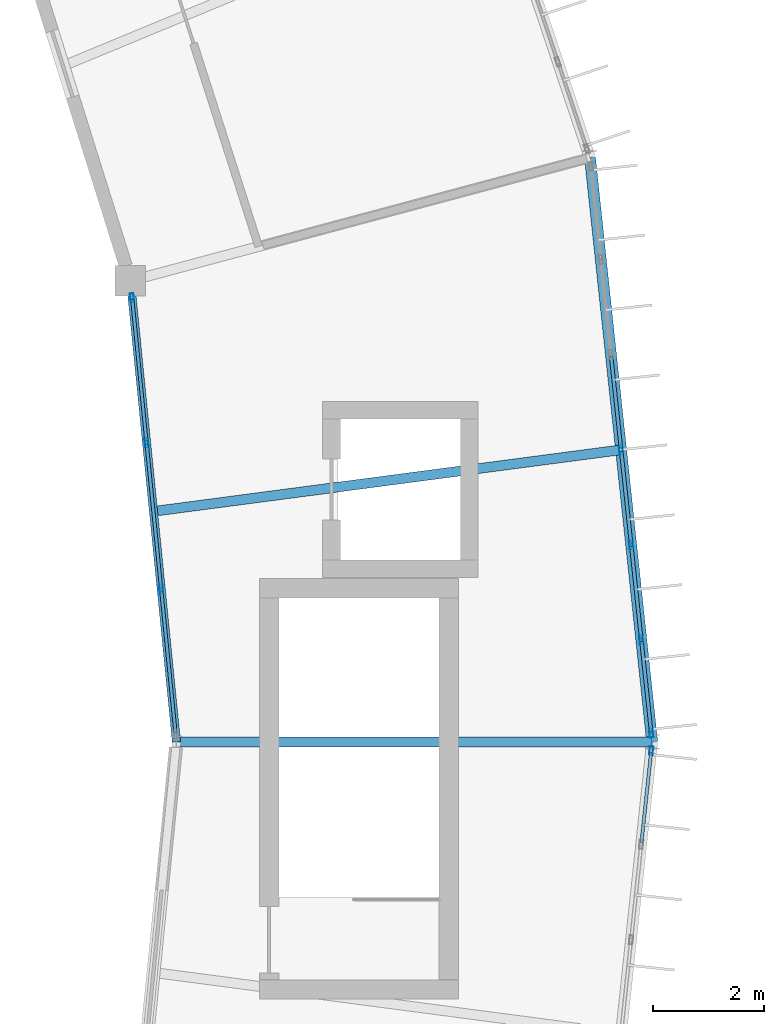
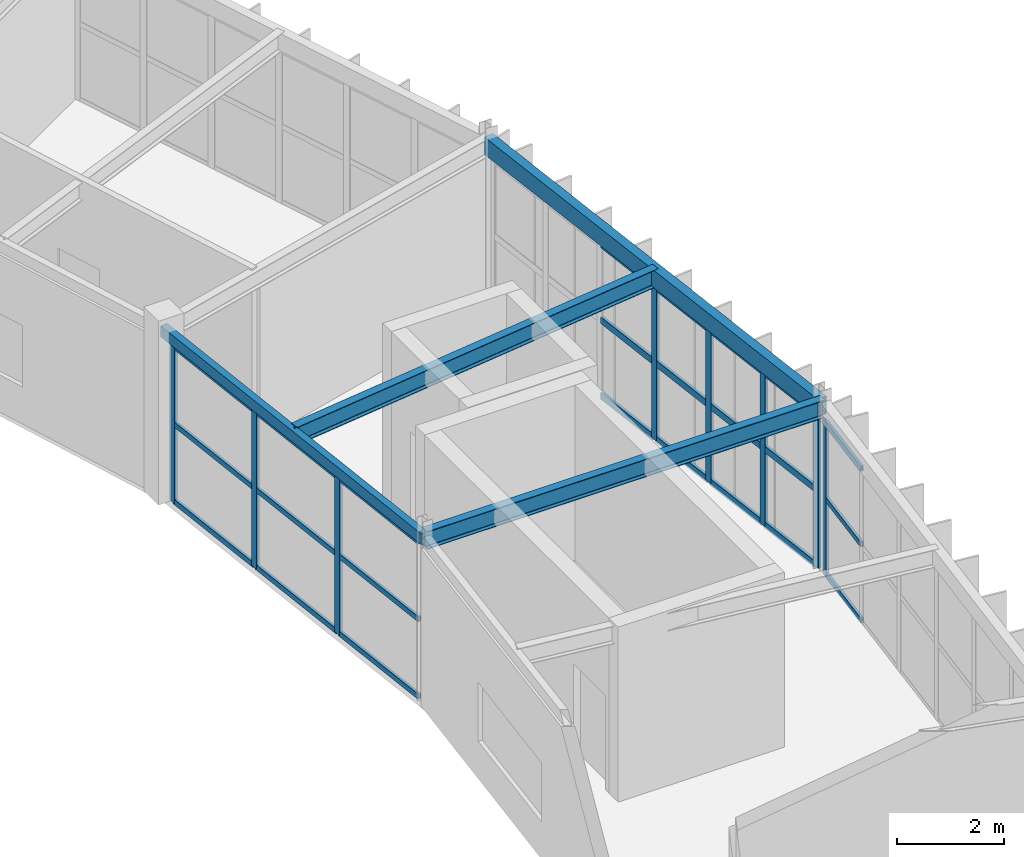
# One storey, part 27 of 66: 32 members, 4 beams, 3 elements without a shape of their own.
"""IFC4 building model written with IfcOpenShell, lengths in metres."""

from ifc_helpers import new_model, si_unit, direction, frame, origin, origin_2d, place, context, subcontext, project, spatial, hollow_rectangle, i_section, extrude, material, material_profile, profile_set, type_object, element, aggregate, save


model = new_model("IFC4")

# Units and contexts
model_context = context("Model", 3, precision=1e-05, world=origin(), true_north=direction((0.0, 1.0)))
body_context = subcontext(model_context, "Body", "Model", "MODEL_VIEW")
ifc_project = project(units=[si_unit("LENGTHUNIT", "METRE"), si_unit("AREAUNIT", "SQUARE_METRE"), si_unit("VOLUMEUNIT", "CUBIC_METRE"), si_unit("PLANEANGLEUNIT", "RADIAN"), si_unit("MASSUNIT", "GRAM", prefix="KILO")], contexts=[model_context])

# Site, building, storey
site_placement = place(None, origin())
site = spatial("IfcSite", under=ifc_project, at=site_placement, CompositionType="ELEMENT")
building_placement = place(site_placement, origin())
building = spatial("IfcBuilding", under=site, at=building_placement, Name="Karori Crest Natural Sciences Institute", CompositionType="ELEMENT")
storey_placement = place(building_placement, frame((0.0, 0.0, 30.10009765625)))
storey = spatial("IfcBuildingStorey", under=building, at=storey_placement, Name="L07", CompositionType="ELEMENT", Elevation=30.10009765625)

# Beams
ifc_material_1 = material(Name="Structural steel AS/NZS 3679.1 Grade 350", Category="steel")
ifc_material_profile_1 = material_profile(ifc_material_1, i_section(OverallWidth=0.177978515625, OverallDepth=0.406005859375, WebThickness=0.0078125, FlangeThickness=0.0126953125, FilletRadius=0.010986328125, at=origin_2d()), Name="410UB59.7")
ifc_profile_set_1 = profile_set([ifc_material_profile_1], Name="Structural steel AS/NZS 3679.1 Grade 350")
beam_type_1 = type_object("IfcBeamType", Name="BT-07", PredefinedType="BEAM", material=ifc_profile_set_1)
beam_1_placement = place(storey_placement, frame((90.800048828125, 49.89990234375, 3.739990234375), z_axis=(1.0, 0.0, 0.0), x_axis=(0.0, 1.0, 0.0)))
element("IfcBeam", 1, at=beam_1_placement, inside=storey, type_object=beam_type_1, Name="Beam B-0646", PredefinedType="BEAM", context=body_context, shape_type="SweptSolid", body=[
    extrude(i_section(OverallWidth=0.177978515625, OverallDepth=0.406005859375, WebThickness=0.0078125, FlangeThickness=0.0126953125, FilletRadius=0.010986328125, at=origin_2d()), origin(), (0.0, 0.0, 1.0), 8.599853515625),
])
beam_2_placement = place(storey_placement, frame((90.38427734375, 54.06689453125, 3.739990234375), z_axis=(0.991443376869, 0.130537467659, 0.0), x_axis=(-0.130537467659, 0.991443376869, 0.0)))
element("IfcBeam", 2, at=beam_2_placement, inside=storey, type_object=beam_type_1, Name="Beam B-2881", PredefinedType="BEAM", context=body_context, shape_type="SweptSolid", body=[
    extrude(i_section(OverallWidth=0.177978515625, OverallDepth=0.406005859375, WebThickness=0.0078125, FlangeThickness=0.0126953125, FilletRadius=0.010986328125, at=origin_2d()), origin(), (0.0, 0.0, 1.0), 8.526611328125),
])
ifc_material_2 = material(Name="Hollow structural steel AS/NZS 1163 Grade C350", Category="steel")
ifc_material_profile_2 = material_profile(ifc_material_2, hollow_rectangle(XDim=0.199951171875, YDim=0.39990234375, WallThickness=0.012451171875, at=origin_2d()), Name="RHS400x200x12.5")
ifc_profile_set_2 = profile_set([ifc_material_profile_2], Name="Hollow structural steel AS/NZS 1163 Grade C350")
beam_type_2 = type_object("IfcBeamType", Name="BT-14", PredefinedType="SPANDREL", material=ifc_profile_set_2)
beam_3_placement = place(storey_placement, frame((99.39990234375, 49.89990234375, 3.739990234375), z_axis=(-0.105868278464, 0.994380162521, 0.0), x_axis=(-0.994380162521, -0.105868278464, 0.0)))
element("IfcBeam", 3, at=beam_3_placement, inside=storey, type_object=beam_type_2, Name="Beam B-0644", PredefinedType="SPANDREL", context=body_context, shape_type="SweptSolid", body=[
    extrude(hollow_rectangle(XDim=0.199951171875, YDim=0.39990234375, WallThickness=0.012451171875, at=origin_2d()), origin(), (0.0, 0.0, 1.0), 10.619384765625),
])
ifc_material_profile_3 = material_profile(ifc_material_2, hollow_rectangle(XDim=0.14990234375, YDim=0.25, WallThickness=0.009033203125, at=origin_2d()), Name="RHS250x150x9")
ifc_profile_set_3 = profile_set([ifc_material_profile_3], Name="Hollow structural steel AS/NZS 1163 Grade C350")
beam_type_3 = type_object("IfcBeamType", Name="BT-16", PredefinedType="SPANDREL", material=ifc_profile_set_3)
beam_4_placement = place(storey_placement, frame((90.800048828125, 49.89990234375, 3.739990234375), z_axis=(-0.099284371237, 0.99505910057, 0.0), x_axis=(-0.99505910057, -0.099284371237, 0.0)))
element("IfcBeam", 4, at=beam_4_placement, inside=storey, type_object=beam_type_3, Name="Beam B-0645", PredefinedType="SPANDREL", context=body_context, shape_type="SweptSolid", body=[
    extrude(hollow_rectangle(XDim=0.14990234375, YDim=0.25, WallThickness=0.009033203125, at=origin_2d()), origin(), (0.0, 0.0, 1.0), 8.37548828125),
])

# Curtain wall, member
ifc_material_3 = material(Name="Anodised architectural aluminium 6063-T6", Category="aluminium")
curtain_wall_type_1 = type_object("IfcCurtainWallType", Name="CWT-04", PredefinedType="NOTDEFINED", material=ifc_material_3)
curtain_wall_1_placement = place(storey_placement, origin())
curtain_wall_1 = element("IfcCurtainWall", 5, at=curtain_wall_1_placement, inside=storey, type_object=curtain_wall_type_1, Name="Curtain wall CW-0242", PredefinedType="NOTDEFINED")
ifc_material_profile_4 = material_profile(ifc_material_3, hollow_rectangle(XDim=0.06494140625, YDim=0.159912109375, WallThickness=0.00390625, at=origin_2d()), Name="CWM160x65x4")
ifc_profile_set_4 = profile_set([ifc_material_profile_4], Name="Anodised architectural aluminium 6063-T6")
member_type_1 = type_object("IfcMemberType", Name="CWM-01", PredefinedType="MULLION", material=ifc_profile_set_4)
member_1_placement = place(storey_placement, frame((99.383056640625, 49.73974609375, 0.0), z_axis=(0.0, 0.0, 1.0), x_axis=(0.994378309998, -0.105885677057, 0.0)))
member_1 = element("IfcMember", 6, at=member_1_placement, type_object=member_type_1, Name="CW-0242 mullion 1", PredefinedType="MULLION", context=body_context, shape_type="SweptSolid", body=[
    extrude(hollow_rectangle(XDim=0.06494140625, YDim=0.159912109375, WallThickness=0.00390625, at=origin_2d()), origin(), (0.0, 0.0, 1.0), 3.52490234375),
])

# Curtain wall, members
curtain_wall_type_2 = type_object("IfcCurtainWallType", Name="CWT-01", PredefinedType="NOTDEFINED", material=ifc_material_3)
curtain_wall_2_placement = place(storey_placement, origin())
curtain_wall_2 = element("IfcCurtainWall", 7, at=curtain_wall_2_placement, inside=storey, type_object=curtain_wall_type_2, Name="Curtain wall CW-0243", PredefinedType="NOTDEFINED")
member_2_placement = place(storey_placement, frame((98.837646484375, 55.181396484375, 0.0), z_axis=(0.0, 0.0, 1.0), x_axis=(0.994378435661, 0.105884496939, 0.0)))
member_2 = element("IfcMember", 8, at=member_2_placement, type_object=member_type_1, Name="CW-0243 mullion 4", PredefinedType="MULLION", context=body_context, shape_type="SweptSolid", body=[
    extrude(hollow_rectangle(XDim=0.06494140625, YDim=0.159912109375, WallThickness=0.00390625, at=origin_2d()), origin(), (0.0, 0.0, 1.0), 3.52490234375),
])
member_3_placement = place(storey_placement, frame((99.0205078125, 53.463623046875, 0.0), z_axis=(0.0, 0.0, 1.0), x_axis=(0.994378435661, 0.105884496939, 0.0)))
member_3 = element("IfcMember", 9, at=member_3_placement, type_object=member_type_1, Name="CW-0243 mullion 5", PredefinedType="MULLION", context=body_context, shape_type="SweptSolid", body=[
    extrude(hollow_rectangle(XDim=0.06494140625, YDim=0.159912109375, WallThickness=0.00390625, at=origin_2d()), origin(), (0.0, 0.0, 1.0), 3.52490234375),
])
member_4_placement = place(storey_placement, frame((99.203369140625, 51.745849609375, 0.0), z_axis=(0.0, 0.0, 1.0), x_axis=(0.994378435661, 0.105884496939, 0.0)))
member_4 = element("IfcMember", 10, at=member_4_placement, type_object=member_type_1, Name="CW-0243 mullion 6", PredefinedType="MULLION", context=body_context, shape_type="SweptSolid", body=[
    extrude(hollow_rectangle(XDim=0.06494140625, YDim=0.159912109375, WallThickness=0.00390625, at=origin_2d()), origin(), (0.0, 0.0, 1.0), 3.52490234375),
])
member_5_placement = place(storey_placement, frame((99.383056640625, 50.060302734375, 0.0), z_axis=(0.0, 0.0, 1.0), x_axis=(0.994378435661, 0.105884496939, 0.0)))
member_5 = element("IfcMember", 11, at=member_5_placement, type_object=member_type_1, Name="CW-0243 mullion 7", PredefinedType="MULLION", context=body_context, shape_type="SweptSolid", body=[
    extrude(hollow_rectangle(XDim=0.06494140625, YDim=0.159912109375, WallThickness=0.00390625, at=origin_2d()), origin(), (0.0, 0.0, 1.0), 3.52490234375),
])

curtain_wall_type_3 = type_object("IfcCurtainWallType", Name="CWT-11", PredefinedType="NOTDEFINED", material=ifc_material_3)
curtain_wall_3_placement = place(storey_placement, origin())
curtain_wall_3 = element("IfcCurtainWall", 12, at=curtain_wall_3_placement, inside=storey, type_object=curtain_wall_type_3, Name="Curtain wall CW-0244", PredefinedType="NOTDEFINED")
member_6_placement = place(storey_placement, frame((90.525146484375, 52.65576171875, 0.0), z_axis=(0.0, 0.0, 1.0), x_axis=(-0.995060684604, -0.099268494275, 0.0)))
member_6 = element("IfcMember", 13, at=member_6_placement, type_object=member_type_1, Name="CW-0244 mullion 2", PredefinedType="MULLION", context=body_context, shape_type="SweptSolid", body=[
    extrude(hollow_rectangle(XDim=0.06494140625, YDim=0.159912109375, WallThickness=0.00390625, at=origin_2d()), origin(), (0.0, 0.0, 1.0), 3.599853515625),
])
member_7_placement = place(storey_placement, frame((90.260498046875, 55.308349609375, 0.0), z_axis=(0.0, 0.0, 1.0), x_axis=(-0.995060684604, -0.099268494275, 0.0)))
member_7 = element("IfcMember", 14, at=member_7_placement, type_object=member_type_1, Name="CW-0244 mullion 3", PredefinedType="MULLION", context=body_context, shape_type="SweptSolid", body=[
    extrude(hollow_rectangle(XDim=0.06494140625, YDim=0.159912109375, WallThickness=0.00390625, at=origin_2d()), origin(), (0.0, 0.0, 1.0), 3.599853515625),
])
member_8_placement = place(storey_placement, frame((89.9990234375, 57.9287109375, 0.0), z_axis=(0.0, 0.0, 1.0), x_axis=(-0.995060684604, -0.099268494275, 0.0)))
member_8 = element("IfcMember", 15, at=member_8_placement, type_object=member_type_1, Name="CW-0244 mullion 4", PredefinedType="MULLION", context=body_context, shape_type="SweptSolid", body=[
    extrude(hollow_rectangle(XDim=0.06494140625, YDim=0.159912109375, WallThickness=0.00390625, at=origin_2d()), origin(), (0.0, 0.0, 1.0), 3.599853515625),
])

# Member
ifc_material_profile_5 = material_profile(ifc_material_3, hollow_rectangle(XDim=0.06005859375, YDim=0.1201171875, WallThickness=0.00390625, at=origin_2d()), Name="CWT120x60x4")
ifc_profile_set_5 = profile_set([ifc_material_profile_5], Name="Anodised architectural aluminium 6063-T6")
member_type_2 = type_object("IfcMemberType", Name="CWT-TR1", PredefinedType="USERDEFINED", material=ifc_profile_set_5)
member_9_placement = place(storey_placement, frame((99.379638671875, 49.707275390625, 0.02978515625), z_axis=(-0.105996192923, -0.994366535582, 0.0), x_axis=(0.994366535582, -0.105996192923, 0.0)))
member_9 = element("IfcMember", 16, at=member_9_placement, type_object=member_type_2, Name="CW-0242 transom 1.1", ObjectType="TRANSOM", PredefinedType="USERDEFINED", context=body_context, shape_type="SweptSolid", body=[
    extrude(hollow_rectangle(XDim=0.06005859375, YDim=0.1201171875, WallThickness=0.00390625, at=origin_2d()), origin(), (0.0, 0.0, 1.0), 1.6376953125),
])

member_10_placement = place(storey_placement, frame((99.379638671875, 49.707275390625, 1.762451171875), z_axis=(-0.105996192923, -0.994366535582, 0.0), x_axis=(0.994366535582, -0.105996192923, 0.0)))
member_10 = element("IfcMember", 17, at=member_10_placement, type_object=member_type_2, Name="CW-0242 transom 1.2", ObjectType="TRANSOM", PredefinedType="USERDEFINED", context=body_context, shape_type="SweptSolid", body=[
    extrude(hollow_rectangle(XDim=0.06005859375, YDim=0.1201171875, WallThickness=0.00390625, at=origin_2d()), origin(), (0.0, 0.0, 1.0), 1.6376953125),
])

member_11_placement = place(storey_placement, frame((99.379638671875, 49.707275390625, 3.494873046875), z_axis=(-0.105996192923, -0.994366535582, 0.0), x_axis=(0.994366535582, -0.105996192923, 0.0)))
member_11 = element("IfcMember", 18, at=member_11_placement, type_object=member_type_2, Name="CW-0242 transom 1.3", ObjectType="TRANSOM", PredefinedType="USERDEFINED", context=body_context, shape_type="SweptSolid", body=[
    extrude(hollow_rectangle(XDim=0.06005859375, YDim=0.1201171875, WallThickness=0.00390625, at=origin_2d()), origin(), (0.0, 0.0, 1.0), 1.6376953125),
])

aggregate(curtain_wall_1, [member_1, member_9, member_10, member_11])

member_12_placement = place(storey_placement, frame((90.783203125, 50.067626953125, 0.02978515625), z_axis=(-0.099240189366, 0.99506350793, 0.0), x_axis=(-0.99506350793, -0.099240189366, 0.0)))
member_12 = element("IfcMember", 19, at=member_12_placement, type_object=member_type_2, Name="CW-0244 transom 1.1", ObjectType="TRANSOM", PredefinedType="USERDEFINED", context=body_context, shape_type="SweptSolid", body=[
    extrude(hollow_rectangle(XDim=0.06005859375, YDim=0.1201171875, WallThickness=0.00390625, at=origin_2d()), origin(), (0.0, 0.0, 1.0), 2.568359375),
])

member_13_placement = place(storey_placement, frame((90.783203125, 50.067626953125, 1.7998046875), z_axis=(-0.099240189366, 0.99506350793, 0.0), x_axis=(-0.99506350793, -0.099240189366, 0.0)))
member_13 = element("IfcMember", 20, at=member_13_placement, type_object=member_type_2, Name="CW-0244 transom 1.2", ObjectType="TRANSOM", PredefinedType="USERDEFINED", context=body_context, shape_type="SweptSolid", body=[
    extrude(hollow_rectangle(XDim=0.06005859375, YDim=0.1201171875, WallThickness=0.00390625, at=origin_2d()), origin(), (0.0, 0.0, 1.0), 2.568359375),
])

member_14_placement = place(storey_placement, frame((90.783203125, 50.067626953125, 3.56982421875), z_axis=(-0.099240189366, 0.99506350793, 0.0), x_axis=(-0.99506350793, -0.099240189366, 0.0)))
member_14 = element("IfcMember", 21, at=member_14_placement, type_object=member_type_2, Name="CW-0244 transom 1.3", ObjectType="TRANSOM", PredefinedType="USERDEFINED", context=body_context, shape_type="SweptSolid", body=[
    extrude(hollow_rectangle(XDim=0.06005859375, YDim=0.1201171875, WallThickness=0.00390625, at=origin_2d()), origin(), (0.0, 0.0, 1.0), 2.568359375),
])

member_15_placement = place(storey_placement, frame((90.521728515625, 52.68798828125, 0.02978515625), z_axis=(-0.099224881273, 0.995065034526, 0.0), x_axis=(-0.995065034526, -0.099224881273, 0.0)))
member_15 = element("IfcMember", 22, at=member_15_placement, type_object=member_type_2, Name="CW-0244 transom 2.1", ObjectType="TRANSOM", PredefinedType="USERDEFINED", context=body_context, shape_type="SweptSolid", body=[
    extrude(hollow_rectangle(XDim=0.06005859375, YDim=0.1201171875, WallThickness=0.00390625, at=origin_2d()), origin(), (0.0, 0.0, 1.0), 2.600830078125),
])

member_16_placement = place(storey_placement, frame((90.521728515625, 52.68798828125, 1.7998046875), z_axis=(-0.099224881273, 0.995065034526, 0.0), x_axis=(-0.995065034526, -0.099224881273, 0.0)))
member_16 = element("IfcMember", 23, at=member_16_placement, type_object=member_type_2, Name="CW-0244 transom 2.2", ObjectType="TRANSOM", PredefinedType="USERDEFINED", context=body_context, shape_type="SweptSolid", body=[
    extrude(hollow_rectangle(XDim=0.06005859375, YDim=0.1201171875, WallThickness=0.00390625, at=origin_2d()), origin(), (0.0, 0.0, 1.0), 2.600830078125),
])

member_17_placement = place(storey_placement, frame((90.521728515625, 52.68798828125, 3.56982421875), z_axis=(-0.099224881273, 0.995065034526, 0.0), x_axis=(-0.995065034526, -0.099224881273, 0.0)))
member_17 = element("IfcMember", 24, at=member_17_placement, type_object=member_type_2, Name="CW-0244 transom 2.3", ObjectType="TRANSOM", PredefinedType="USERDEFINED", context=body_context, shape_type="SweptSolid", body=[
    extrude(hollow_rectangle(XDim=0.06005859375, YDim=0.1201171875, WallThickness=0.00390625, at=origin_2d()), origin(), (0.0, 0.0, 1.0), 2.600830078125),
])

member_18_placement = place(storey_placement, frame((90.25732421875, 55.340576171875, 0.02978515625), z_axis=(-0.0993343095, 0.995054116597, 0.0), x_axis=(-0.995054116597, -0.0993343095, 0.0)))
member_18 = element("IfcMember", 25, at=member_18_placement, type_object=member_type_2, Name="CW-0244 transom 3.1", ObjectType="TRANSOM", PredefinedType="USERDEFINED", context=body_context, shape_type="SweptSolid", body=[
    extrude(hollow_rectangle(XDim=0.06005859375, YDim=0.1201171875, WallThickness=0.00390625, at=origin_2d()), origin(), (0.0, 0.0, 1.0), 2.568359375),
])

member_19_placement = place(storey_placement, frame((90.25732421875, 55.340576171875, 1.7998046875), z_axis=(-0.0993343095, 0.995054116597, 0.0), x_axis=(-0.995054116597, -0.0993343095, 0.0)))
member_19 = element("IfcMember", 26, at=member_19_placement, type_object=member_type_2, Name="CW-0244 transom 3.2", ObjectType="TRANSOM", PredefinedType="USERDEFINED", context=body_context, shape_type="SweptSolid", body=[
    extrude(hollow_rectangle(XDim=0.06005859375, YDim=0.1201171875, WallThickness=0.00390625, at=origin_2d()), origin(), (0.0, 0.0, 1.0), 2.568359375),
])

member_20_placement = place(storey_placement, frame((90.25732421875, 55.340576171875, 3.56982421875), z_axis=(-0.0993343095, 0.995054116597, 0.0), x_axis=(-0.995054116597, -0.0993343095, 0.0)))
member_20 = element("IfcMember", 27, at=member_20_placement, type_object=member_type_2, Name="CW-0244 transom 3.3", ObjectType="TRANSOM", PredefinedType="USERDEFINED", context=body_context, shape_type="SweptSolid", body=[
    extrude(hollow_rectangle(XDim=0.06005859375, YDim=0.1201171875, WallThickness=0.00390625, at=origin_2d()), origin(), (0.0, 0.0, 1.0), 2.568359375),
])

aggregate(curtain_wall_3, [member_6, member_7, member_8, member_12, member_13, member_14, member_15, member_16, member_17, member_18, member_19, member_20])

ifc_material_profile_6 = material_profile(ifc_material_3, hollow_rectangle(XDim=0.06494140625, YDim=0.14990234375, WallThickness=0.00390625, at=origin_2d()), Name="CWT150x65x4")
ifc_profile_set_6 = profile_set([ifc_material_profile_6], Name="Anodised architectural aluminium 6063-T6")
member_type_3 = type_object("IfcMemberType", Name="CWT-TR2", PredefinedType="USERDEFINED", material=ifc_profile_set_6)
member_21_placement = place(storey_placement, frame((98.658203125, 56.866943359375, 0.032470703125), z_axis=(0.105869463411, -0.994380036363, 0.0), x_axis=(0.994380036363, 0.105869463411, 0.0)))
member_21 = element("IfcMember", 28, at=member_21_placement, type_object=member_type_3, Name="CW-0243 transom 3.1", ObjectType="TRANSOM", PredefinedType="USERDEFINED", context=body_context, shape_type="SweptSolid", body=[
    extrude(hollow_rectangle(XDim=0.06494140625, YDim=0.14990234375, WallThickness=0.00390625, at=origin_2d()), origin(), (0.0, 0.0, 1.0), 1.66259765625),
])

member_22_placement = place(storey_placement, frame((98.658203125, 56.866943359375, 1.762451171875), z_axis=(0.105869463411, -0.994380036363, 0.0), x_axis=(0.994380036363, 0.105869463411, 0.0)))
member_22 = element("IfcMember", 29, at=member_22_placement, type_object=member_type_3, Name="CW-0243 transom 3.2", ObjectType="TRANSOM", PredefinedType="USERDEFINED", context=body_context, shape_type="SweptSolid", body=[
    extrude(hollow_rectangle(XDim=0.06494140625, YDim=0.14990234375, WallThickness=0.00390625, at=origin_2d()), origin(), (0.0, 0.0, 1.0), 1.66259765625),
])

member_23_placement = place(storey_placement, frame((98.658203125, 56.866943359375, 3.492431640625), z_axis=(0.105869463411, -0.994380036363, 0.0), x_axis=(0.994380036363, 0.105869463411, 0.0)))
member_23 = element("IfcMember", 30, at=member_23_placement, type_object=member_type_3, Name="CW-0243 transom 3.3", ObjectType="TRANSOM", PredefinedType="USERDEFINED", context=body_context, shape_type="SweptSolid", body=[
    extrude(hollow_rectangle(XDim=0.06494140625, YDim=0.14990234375, WallThickness=0.00390625, at=origin_2d()), origin(), (0.0, 0.0, 1.0), 1.66259765625),
])

member_24_placement = place(storey_placement, frame((98.841064453125, 55.149169921875, 0.032470703125), z_axis=(0.105869463411, -0.994380036363, 0.0), x_axis=(0.994380036363, 0.105869463411, 0.0)))
member_24 = element("IfcMember", 31, at=member_24_placement, type_object=member_type_3, Name="CW-0243 transom 4.1", ObjectType="TRANSOM", PredefinedType="USERDEFINED", context=body_context, shape_type="SweptSolid", body=[
    extrude(hollow_rectangle(XDim=0.06494140625, YDim=0.14990234375, WallThickness=0.00390625, at=origin_2d()), origin(), (0.0, 0.0, 1.0), 1.66259765625),
])

member_25_placement = place(storey_placement, frame((98.841064453125, 55.149169921875, 1.762451171875), z_axis=(0.105869463411, -0.994380036363, 0.0), x_axis=(0.994380036363, 0.105869463411, 0.0)))
member_25 = element("IfcMember", 32, at=member_25_placement, type_object=member_type_3, Name="CW-0243 transom 4.2", ObjectType="TRANSOM", PredefinedType="USERDEFINED", context=body_context, shape_type="SweptSolid", body=[
    extrude(hollow_rectangle(XDim=0.06494140625, YDim=0.14990234375, WallThickness=0.00390625, at=origin_2d()), origin(), (0.0, 0.0, 1.0), 1.66259765625),
])

member_26_placement = place(storey_placement, frame((98.841064453125, 55.149169921875, 3.492431640625), z_axis=(0.105869463411, -0.994380036363, 0.0), x_axis=(0.994380036363, 0.105869463411, 0.0)))
member_26 = element("IfcMember", 33, at=member_26_placement, type_object=member_type_3, Name="CW-0243 transom 4.3", ObjectType="TRANSOM", PredefinedType="USERDEFINED", context=body_context, shape_type="SweptSolid", body=[
    extrude(hollow_rectangle(XDim=0.06494140625, YDim=0.14990234375, WallThickness=0.00390625, at=origin_2d()), origin(), (0.0, 0.0, 1.0), 1.66259765625),
])

member_27_placement = place(storey_placement, frame((99.02392578125, 53.431396484375, 0.032470703125), z_axis=(0.105869463411, -0.994380036363, 0.0), x_axis=(0.994380036363, 0.105869463411, 0.0)))
member_27 = element("IfcMember", 34, at=member_27_placement, type_object=member_type_3, Name="CW-0243 transom 5.1", ObjectType="TRANSOM", PredefinedType="USERDEFINED", context=body_context, shape_type="SweptSolid", body=[
    extrude(hollow_rectangle(XDim=0.06494140625, YDim=0.14990234375, WallThickness=0.00390625, at=origin_2d()), origin(), (0.0, 0.0, 1.0), 1.66259765625),
])

member_28_placement = place(storey_placement, frame((99.02392578125, 53.431396484375, 1.762451171875), z_axis=(0.105869463411, -0.994380036363, 0.0), x_axis=(0.994380036363, 0.105869463411, 0.0)))
member_28 = element("IfcMember", 35, at=member_28_placement, type_object=member_type_3, Name="CW-0243 transom 5.2", ObjectType="TRANSOM", PredefinedType="USERDEFINED", context=body_context, shape_type="SweptSolid", body=[
    extrude(hollow_rectangle(XDim=0.06494140625, YDim=0.14990234375, WallThickness=0.00390625, at=origin_2d()), origin(), (0.0, 0.0, 1.0), 1.66259765625),
])

member_29_placement = place(storey_placement, frame((99.02392578125, 53.431396484375, 3.492431640625), z_axis=(0.105869463411, -0.994380036363, 0.0), x_axis=(0.994380036363, 0.105869463411, 0.0)))
member_29 = element("IfcMember", 36, at=member_29_placement, type_object=member_type_3, Name="CW-0243 transom 5.3", ObjectType="TRANSOM", PredefinedType="USERDEFINED", context=body_context, shape_type="SweptSolid", body=[
    extrude(hollow_rectangle(XDim=0.06494140625, YDim=0.14990234375, WallThickness=0.00390625, at=origin_2d()), origin(), (0.0, 0.0, 1.0), 1.66259765625),
])

member_30_placement = place(storey_placement, frame((99.20703125, 51.71337890625, 0.032470703125), z_axis=(0.105893191658, -0.994377509782, 0.0), x_axis=(0.994377509782, 0.105893191658, 0.0)))
member_30 = element("IfcMember", 37, at=member_30_placement, type_object=member_type_3, Name="CW-0243 transom 6.1", ObjectType="TRANSOM", PredefinedType="USERDEFINED", context=body_context, shape_type="SweptSolid", body=[
    extrude(hollow_rectangle(XDim=0.06494140625, YDim=0.14990234375, WallThickness=0.00390625, at=origin_2d()), origin(), (0.0, 0.0, 1.0), 1.630126953125),
])

member_31_placement = place(storey_placement, frame((99.20703125, 51.71337890625, 1.762451171875), z_axis=(0.105893191658, -0.994377509782, 0.0), x_axis=(0.994377509782, 0.105893191658, 0.0)))
member_31 = element("IfcMember", 38, at=member_31_placement, type_object=member_type_3, Name="CW-0243 transom 6.2", ObjectType="TRANSOM", PredefinedType="USERDEFINED", context=body_context, shape_type="SweptSolid", body=[
    extrude(hollow_rectangle(XDim=0.06494140625, YDim=0.14990234375, WallThickness=0.00390625, at=origin_2d()), origin(), (0.0, 0.0, 1.0), 1.630126953125),
])

member_32_placement = place(storey_placement, frame((99.20703125, 51.71337890625, 3.492431640625), z_axis=(0.105893191658, -0.994377509782, 0.0), x_axis=(0.994377509782, 0.105893191658, 0.0)))
member_32 = element("IfcMember", 39, at=member_32_placement, type_object=member_type_3, Name="CW-0243 transom 6.3", ObjectType="TRANSOM", PredefinedType="USERDEFINED", context=body_context, shape_type="SweptSolid", body=[
    extrude(hollow_rectangle(XDim=0.06494140625, YDim=0.14990234375, WallThickness=0.00390625, at=origin_2d()), origin(), (0.0, 0.0, 1.0), 1.630126953125),
])

aggregate(curtain_wall_2, [member_2, member_3, member_4, member_5, member_21, member_22, member_23, member_24, member_25, member_26, member_27, member_28, member_29, member_30, member_31, member_32])

save(model, "model.ifc")
